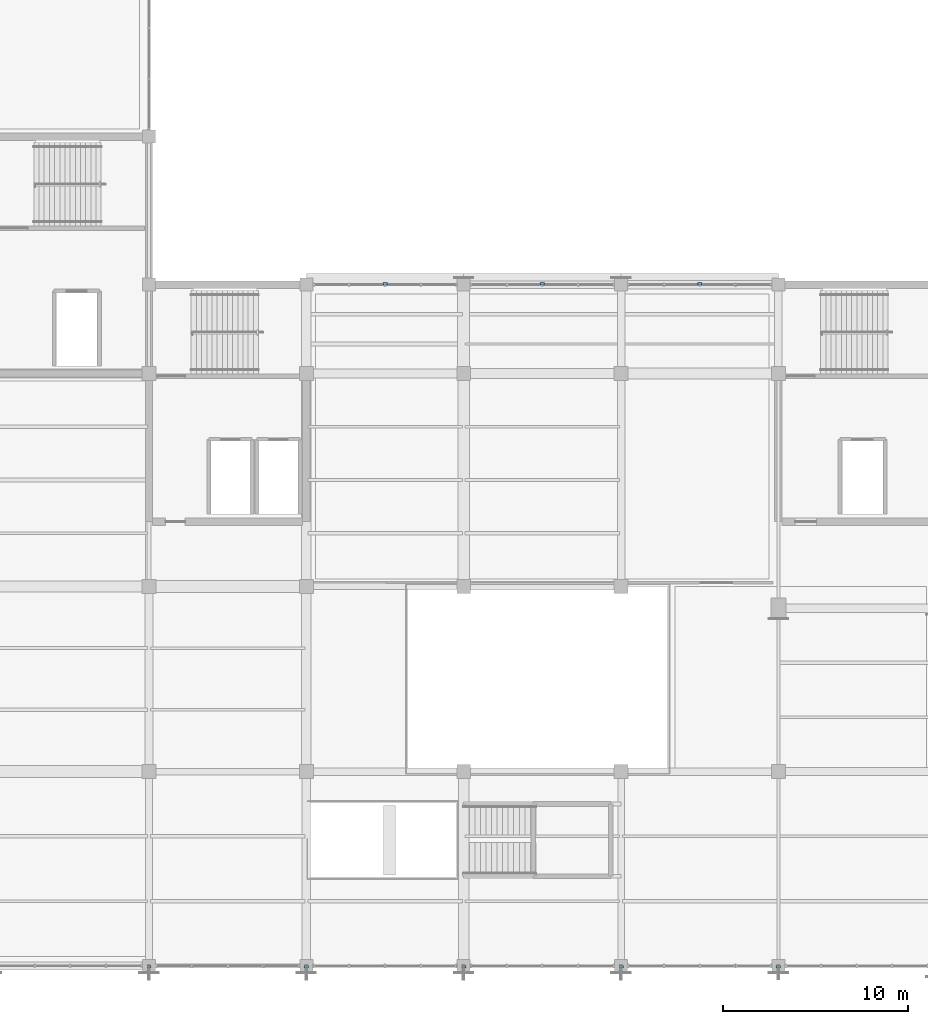
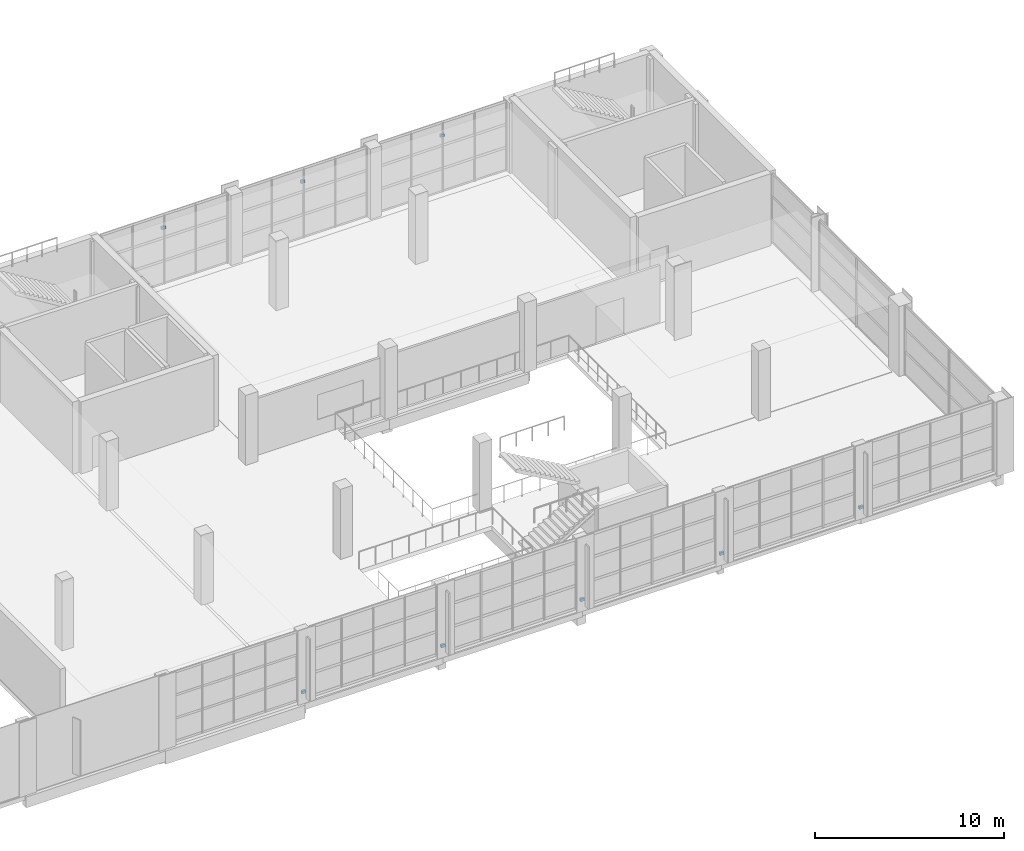
# One storey, part 96 of 112: 8 discrete accessories.
"""IFC4 building model written with IfcOpenShell, lengths in metres."""

from ifc_helpers import new_model, si_unit, direction, frame, origin, origin_2d, place, context, subcontext, project, spatial, rectangle, extrude, material, type_object, element, save


model = new_model("IFC4")

# Units and contexts
model_context = context("Model", 3, precision=1e-05, world=origin(), true_north=direction((0.0, 1.0)))
body_context = subcontext(model_context, "Body", "Model", "MODEL_VIEW")
ifc_project = project(units=[si_unit("LENGTHUNIT", "METRE"), si_unit("AREAUNIT", "SQUARE_METRE"), si_unit("VOLUMEUNIT", "CUBIC_METRE"), si_unit("PLANEANGLEUNIT", "RADIAN"), si_unit("MASSUNIT", "GRAM", prefix="KILO")], contexts=[model_context])

# Site, building, storey
site_placement = place(None, origin())
site = spatial("IfcSite", under=ifc_project, at=site_placement, CompositionType="ELEMENT")
building_placement = place(site_placement, origin())
building = spatial("IfcBuilding", under=site, at=building_placement, Name="Solvikara Media Centre", CompositionType="ELEMENT")
storey_placement = place(building_placement, frame((0.0, 0.0, 5.39990234375)))
storey = spatial("IfcBuildingStorey", under=building, at=storey_placement, Name="L01", CompositionType="ELEMENT", Elevation=5.39990234375)

# Discrete accessories
ifc_material = material(Name="Steel S355JR", Category="steel")
discrete_accessory_type = type_object("IfcDiscreteAccessoryType", Name="BK-01", PredefinedType="BRACKET", material=ifc_material)
for number, where, z_axis, x_axis, name in (
    (1, (34.0, -0.050048828125, 0.41015625), (0.0, 0.0, 1.0), (1.0, 0.0, 0.0), "BK-L01-001"),
    (2, (42.5, -0.050048828125, 0.41015625), (0.0, 0.0, 1.0), (1.0, 0.0, 0.0), "BK-L01-002"),
    (3, (51.0, -0.050048828125, 0.41015625), (0.0, 0.0, 1.0), (1.0, 0.0, 0.0), "BK-L01-003"),
    (4, (59.5, -0.050048828125, 0.41015625), (0.0, 0.0, 1.0), (1.0, 0.0, 0.0), "BK-L01-004"),
    (5, (68.0, -0.050048828125, 0.41015625), (0.0, 0.0, 1.0), (1.0, 0.0, 0.0), "BK-L01-005"),
    (6, (46.75, 36.85009765625, 3.51025390625), (0.0, 0.0, 1.0), (1.0, 0.0, 0.0), "BKL-L01-004"),
    (7, (55.25, 36.85009765625, 3.51025390625), (0.0, 0.0, 1.0), (1.0, 0.0, 0.0), "BKL-L01-005"),
    (8, (63.75, 36.85009765625, 3.51025390625), (0.0, 0.0, 1.0), (1.0, 0.0, 0.0), "BKL-L01-006"),
):
    element("IfcDiscreteAccessory", number, at=place(storey_placement, frame(where, z_axis=z_axis, x_axis=x_axis)), inside=storey, type_object=discrete_accessory_type, Name=name, PredefinedType="BRACKET", context=body_context, shape_type="SweptSolid", body=[
        extrude(rectangle(XDim=0.239990234375, YDim=0.139892578125, at=origin_2d()), origin(), (0.0, 0.0, 1.0), 0.179931640625),
    ])

save(model, "model.ifc")
